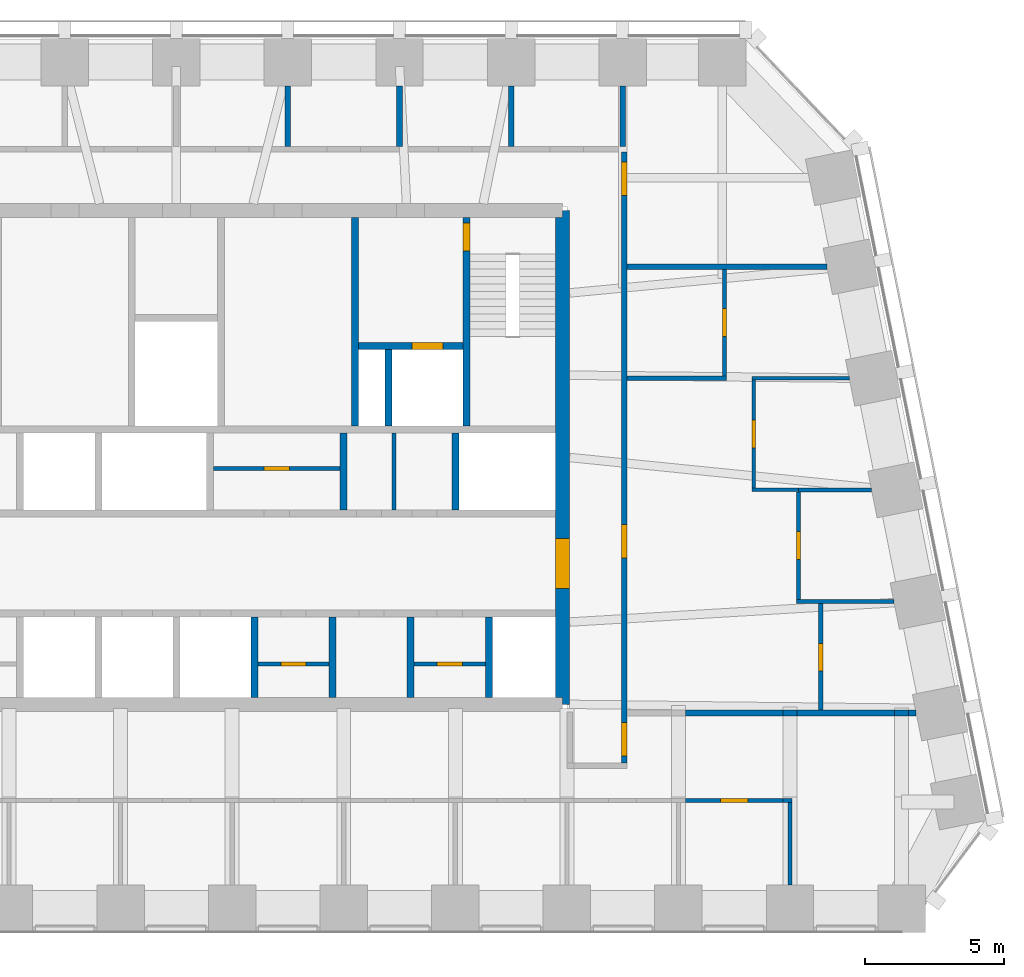
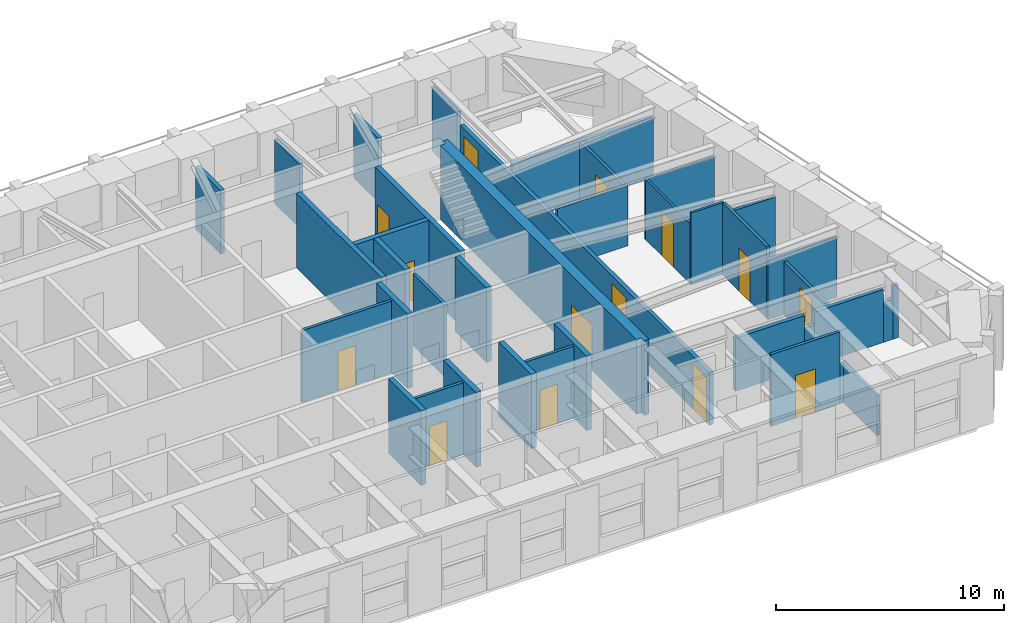
# One storey, part 8 of 12: 38 walls, 14 doors, 14 openings.
"""IFC4 building model written with IfcOpenShell, lengths in metres."""

from ifc_helpers import new_model, si_unit, direction, frame, frame_2d, origin, place, context, subcontext, project, spatial, polyline, rectangle, outline, extrude, material, layer, layer_set, type_object, element, fill, save


model = new_model("IFC4")

# Units and contexts
model_context = context("Model", 3, precision=1e-05, world=origin(), true_north=direction((0.0, 1.0)))
body_context = subcontext(model_context, "Body", "Model", "MODEL_VIEW")
ifc_project = project(units=[si_unit("LENGTHUNIT", "METRE"), si_unit("AREAUNIT", "SQUARE_METRE"), si_unit("VOLUMEUNIT", "CUBIC_METRE"), si_unit("PLANEANGLEUNIT", "RADIAN"), si_unit("MASSUNIT", "GRAM", prefix="KILO")], contexts=[model_context])

# Site, building, storey
site_placement = place(None, origin())
site = spatial("IfcSite", under=ifc_project, at=site_placement, CompositionType="ELEMENT")
building_placement = place(site_placement, origin())
building = spatial("IfcBuilding", under=site, at=building_placement, Name="Isbrekke Arena Tower", CompositionType="ELEMENT")
storey_placement = place(building_placement, frame((0.0, 0.0, 304.0)))
storey = spatial("IfcBuildingStorey", under=building, at=storey_placement, Name="L71", CompositionType="ELEMENT", Elevation=304.0)

# Wall, opening, door
ifc_material_1 = material(Name="Concrete B55 (C55/67)", Category="concrete")
ifc_layer_1 = layer(ifc_material_1, 0.5)
ifc_layer_set_1 = layer_set([ifc_layer_1], Name="CW5 CORE WALL 500")
wall_type_1 = type_object("IfcWallType", Name="CW5 CORE WALL 500", PredefinedType="SHEAR", material=ifc_layer_set_1)
wall_1_placement = place(storey_placement, frame((13.85009765625, 6.14990234375, 0.0), z_axis=(0.0, 0.0, 1.0), x_axis=(0.0, 1.0, 0.0)))
wall_1 = element("IfcWall", 1, at=wall_1_placement, inside=storey, type_object=wall_type_1, Name="Core wall E L71", PredefinedType="SHEAR", context=body_context, shape_type="SweptSolid", body=[
    extrude(outline(polyline([(0.0, -0.25), (17.7001953125, -0.25), (17.7001953125, 0.0), (17.4501953125, 0.0), (17.4501953125, 0.25), (0.25, 0.25), (0.25, 0.0), (0.0, 0.0), (0.0, -0.25)])), origin(), (0.0, 0.0, 1.0), 4.0),
])
opening_1_placement = place(wall_1_placement, frame((4.14990234375, 0.0, 0.0)))
opening_1 = element("IfcOpeningElement", 2, at=opening_1_placement, cuts=wall_1, Name="Opening D1", PredefinedType="OPENING", context=body_context, shape_type="SweptSolid", body=[
    extrude(rectangle(XDim=1.800048828125, YDim=2.39990234375, at=frame_2d((0.89990234375, 1.199951171875))), frame((0.0, 0.264892578125, 0.0), z_axis=(0.0, -1.0, 0.0), x_axis=(1.0, 0.0, 0.0)), (0.0, 0.0, 1.0), 0.52978515625),
])
ifc_material_2 = material(Name="Steel-framed glazed fire door", Category="steel")
door_type_1 = type_object("IfcDoorType", Name="D1 CORE LOBBY DOOR 1800 x 2400", OperationType="DOUBLE_DOOR_SINGLE_SWING", PredefinedType="DOOR", material=ifc_material_2)
door_1_placement = place(opening_1_placement, origin())
door_1 = element("IfcDoor", 3, at=door_1_placement, inside=storey, type_object=door_type_1, Name="D1 lift lobby door east L71", OperationType="DOUBLE_DOOR_SINGLE_SWING", OverallHeight=2.39990234375, OverallWidth=1.800048828125, PredefinedType="DOOR", context=body_context, shape_type="SweptSolid", body=[
    extrude(rectangle(XDim=1.800048828125, YDim=2.39990234375, at=frame_2d((0.89990234375, 1.199951171875))), frame((0.0, 0.249755859375, 0.0), z_axis=(0.0, -1.0, 0.0), x_axis=(1.0, 0.0, 0.0)), (0.0, 0.0, 1.0), 0.49951171875),
])
fill(opening_1, door_1)

# Walls
ifc_material_3 = material(Name="Concrete B45 (C45/55)", Category="concrete")
ifc_layer_2 = layer(ifc_material_3, 0.25)
ifc_layer_set_2 = layer_set([ifc_layer_2], Name="CW6 SHAFT WALL 250")
wall_type_2 = type_object("IfcWallType", Name="CW6 SHAFT WALL 250", PredefinedType="SHEAR", material=ifc_layer_set_2)
for number, where, z_axis, x_axis, name in (
    (4, (2.800048828125, 6.39990234375, 0.0), (0.0, 0.0, 1.0), (0.0, 1.0, 0.0), "Core wall SS06 L71"),
    (5, (5.60009765625, 6.39990234375, 0.0), (0.0, 0.0, 1.0), (0.0, 1.0, 0.0), "Core wall SS07 L71"),
    (6, (8.39990234375, 6.39990234375, 0.0), (0.0, 0.0, 1.0), (0.0, 1.0, 0.0), "Core wall SS08 L71"),
    (7, (11.199951171875, 6.39990234375, 0.0), (0.0, 0.0, 1.0), (0.0, 1.0, 0.0), "Core wall SS09 L71"),
):
    element("IfcWall", number, at=place(storey_placement, frame(where, z_axis=z_axis, x_axis=x_axis)), inside=storey, type_object=wall_type_2, Name=name, PredefinedType="SHEAR", context=body_context, shape_type="SweptSolid", body=[
        extrude(rectangle(XDim=2.875, YDim=0.25, at=frame_2d((1.4375, 0.0))), origin(), (0.0, 0.0, 1.0), 4.0),
    ])
for number, where, z_axis, x_axis, name in (
    (8, (6.0, 13.125, 0.0), (0.0, 0.0, 1.0), (0.0, 1.0, 0.0), "Core wall SN06 L71"),
    (9, (10.0, 13.125, 0.0), (0.0, 0.0, 1.0), (0.0, 1.0, 0.0), "Core wall SN07 L71"),
):
    element("IfcWall", number, at=place(storey_placement, frame(where, z_axis=z_axis, x_axis=x_axis)), inside=storey, type_object=wall_type_2, Name=name, PredefinedType="SHEAR", context=body_context, shape_type="SweptSolid", body=[
        extrude(rectangle(XDim=2.75, YDim=0.25, at=frame_2d((1.375, 0.0))), origin(), (0.0, 0.0, 1.0), 4.0),
    ])
wall_2_placement = place(storey_placement, frame((6.39990234375, 16.125, 0.0), z_axis=(0.0, 0.0, 1.0), x_axis=(0.0, 1.0, 0.0)))
element("IfcWall", 10, at=wall_2_placement, inside=storey, type_object=wall_type_2, Name="Core wall NV05 L71", PredefinedType="SHEAR", context=body_context, shape_type="SweptSolid", body=[
    extrude(rectangle(XDim=7.47509765625, YDim=0.25, at=frame_2d((3.737548828125, 0.0))), origin(), (0.0, 0.0, 1.0), 4.0),
])

# Wall, opening, door
wall_3_placement = place(storey_placement, frame((10.39990234375, 16.125, 0.0), z_axis=(0.0, 0.0, 1.0), x_axis=(0.0, 1.0, 0.0)))
wall_3 = element("IfcWall", 11, at=wall_3_placement, inside=storey, type_object=wall_type_2, Name="Core wall NV06 L71", PredefinedType="SHEAR", context=body_context, shape_type="SweptSolid", body=[
    extrude(rectangle(XDim=7.47509765625, YDim=0.25, at=frame_2d((3.737548828125, 0.0))), origin(), (0.0, 0.0, 1.0), 4.0),
])
opening_2_placement = place(wall_3_placement, frame((6.27490234375, 0.0, 0.0)))
opening_2 = element("IfcOpeningElement", 12, at=opening_2_placement, cuts=wall_3, Name="Opening D2", PredefinedType="OPENING", context=body_context, shape_type="SweptSolid", body=[
    extrude(rectangle(XDim=1.0, YDim=2.10009765625, at=frame_2d((0.5, 1.050048828125))), frame((0.0, 0.139892578125, 0.0), z_axis=(0.0, -1.0, 0.0), x_axis=(1.0, 0.0, 0.0)), (0.0, 0.0, 1.0), 0.27978515625),
])
ifc_material_4 = material(Name="Steel fire door", Category="steel")
door_type_2 = type_object("IfcDoorType", Name="D2 STAIR DOOR 1000 x 2100", OperationType="SINGLE_SWING_LEFT", PredefinedType="DOOR", material=ifc_material_4)
door_2_placement = place(opening_2_placement, origin())
door_2 = element("IfcDoor", 13, at=door_2_placement, inside=storey, type_object=door_type_2, Name="D2 stair door ST2 L71", OperationType="SINGLE_SWING_LEFT", OverallHeight=2.10009765625, OverallWidth=1.0, PredefinedType="DOOR", context=body_context, shape_type="SweptSolid", body=[
    extrude(rectangle(XDim=1.0, YDim=2.10009765625, at=frame_2d((0.5, 1.050048828125))), frame((0.0, 0.124755859375, 0.0), z_axis=(0.0, -1.0, 0.0), x_axis=(1.0, 0.0, 0.0)), (0.0, 0.0, 1.0), 0.24951171875),
])
fill(opening_2, door_2)

wall_4_placement = place(storey_placement, frame((6.52490234375, 19.0, 0.0), z_axis=(0.0, 0.0, 1.0), x_axis=(1.0, 0.0, 0.0)))
wall_4 = element("IfcWall", 14, at=wall_4_placement, inside=storey, type_object=wall_type_2, Name="Core wall NFE L71", PredefinedType="SHEAR", context=body_context, shape_type="SweptSolid", body=[
    extrude(rectangle(XDim=3.75, YDim=0.25, at=frame_2d((1.875, 0.0))), origin(), (0.0, 0.0, 1.0), 4.0),
])
opening_3_placement = place(wall_4_placement, frame((1.925048828125, 0.0, 0.0)))
opening_3 = element("IfcOpeningElement", 15, at=opening_3_placement, cuts=wall_4, Name="Opening LD2", PredefinedType="OPENING", context=body_context, shape_type="SweptSolid", body=[
    extrude(rectangle(XDim=1.10009765625, YDim=2.10009765625, at=frame_2d((0.550048828125, 1.050048828125))), frame((0.0, 0.139892578125, 0.0), z_axis=(0.0, -1.0, 0.0), x_axis=(1.0, 0.0, 0.0)), (0.0, 0.0, 1.0), 0.27978515625),
])
ifc_material_5 = material(Name="Stainless steel lift landing door", Category="steel")
door_type_3 = type_object("IfcDoorType", Name="LD2 FIRE-FIGHTING LIFT LANDING DOOR 1100 x 2100", OperationType="SLIDING_TO_RIGHT", PredefinedType="DOOR", material=ifc_material_5)
door_3_placement = place(opening_3_placement, origin())
door_3 = element("IfcDoor", 16, at=door_3_placement, inside=storey, type_object=door_type_3, Name="LD2 lift landing door LF L71", OperationType="SLIDING_TO_RIGHT", OverallHeight=2.10009765625, OverallWidth=1.10009765625, PredefinedType="DOOR", context=body_context, shape_type="SweptSolid", body=[
    extrude(rectangle(XDim=1.10009765625, YDim=2.10009765625, at=frame_2d((0.550048828125, 1.050048828125))), frame((0.0, 0.124755859375, 0.0), z_axis=(0.0, -1.0, 0.0), x_axis=(1.0, 0.0, 0.0)), (0.0, 0.0, 1.0), 0.24951171875),
])
fill(opening_3, door_3)

# Wall
wall_5_placement = place(storey_placement, frame((7.60009765625, 16.125, 0.0), z_axis=(0.0, 0.0, 1.0), x_axis=(0.0, 1.0, 0.0)))
element("IfcWall", 17, at=wall_5_placement, inside=storey, type_object=wall_type_2, Name="Core wall NFS2 L71", PredefinedType="SHEAR", context=body_context, shape_type="SweptSolid", body=[
    extrude(rectangle(XDim=2.75, YDim=0.25, at=frame_2d((1.375, 0.0))), origin(), (0.0, 0.0, 1.0), 4.0),
])

# Wall, opening, door
ifc_material_6 = material(Name="Gypsum board partition on steel studs", Category="steel")
ifc_layer_3 = layer(ifc_material_6, 0.14990234375)
ifc_layer_set_3 = layer_set([ifc_layer_3], Name="IW1 PARTITION 150")
wall_type_3 = type_object("IfcWallType", Name="IW1 PARTITION 150", PredefinedType="PARTITIONING", material=ifc_layer_set_3)
wall_6_placement = place(storey_placement, frame((18.25, 2.699951171875, 0.0), z_axis=(0.0, 0.0, 1.0), x_axis=(1.0, 0.0, 0.0)))
wall_6 = element("IfcWall", 18, at=wall_6_placement, inside=storey, type_object=wall_type_3, Name="IW1 partition 150 L71", PredefinedType="PARTITIONING", context=body_context, shape_type="SweptSolid", body=[
    extrude(rectangle(XDim=3.5, YDim=0.14990234375, at=frame_2d((1.75, 0.0))), origin(), (0.0, 0.0, 1.0), 3.85009765625),
])
opening_4_placement = place(wall_6_placement, frame((1.25, 0.0, 0.0)))
opening_4 = element("IfcOpeningElement", 19, at=opening_4_placement, cuts=wall_6, Name="Opening D10", PredefinedType="OPENING", context=body_context, shape_type="SweptSolid", body=[
    extrude(rectangle(XDim=1.0, YDim=2.300048828125, at=frame_2d((0.5, 1.14990234375))), frame((0.0, 0.08984375, 0.0), z_axis=(0.0, -1.0, 0.0), x_axis=(1.0, 0.0, 0.0)), (0.0, 0.0, 1.0), 0.1796875),
])
ifc_material_7 = material(Name="Timber door", Category="wood")
door_type_4 = type_object("IfcDoorType", Name="D10 OFFICE DOOR 1000 x 2300", OperationType="SINGLE_SWING_LEFT", PredefinedType="DOOR", material=ifc_material_7)
door_4_placement = place(opening_4_placement, origin())
door_4 = element("IfcDoor", 20, at=door_4_placement, inside=storey, type_object=door_type_4, Name="D10 executive office door L71", OperationType="SINGLE_SWING_LEFT", OverallHeight=2.300048828125, OverallWidth=1.0, PredefinedType="DOOR", context=body_context, shape_type="SweptSolid", body=[
    extrude(rectangle(XDim=1.0, YDim=2.300048828125, at=frame_2d((0.5, 1.14990234375))), frame((0.0, 0.07470703125, 0.0), z_axis=(0.0, -1.0, 0.0), x_axis=(1.0, 0.0, 0.0)), (0.0, 0.0, 1.0), 0.1494140625),
])
fill(opening_4, door_4)

# Walls
wall_7_placement = place(storey_placement, frame((21.75, 2.699951171875, 0.0), z_axis=(0.0, 0.0, 1.0), x_axis=(1.0, 0.0, 0.0)))
element("IfcWall", 21, at=wall_7_placement, inside=storey, type_object=wall_type_3, Name="IW1 partition 150 L71", PredefinedType="PARTITIONING", context=body_context, shape_type="SweptSolid", body=[
    extrude(rectangle(XDim=0.324951171875, YDim=0.14990234375, at=frame_2d((0.16259765625, 0.0))), origin(), (0.0, 0.0, 1.0), 2.14990234375),
])
wall_8_placement = place(storey_placement, frame((22.22509765625, 9.840087890625, 0.0), z_axis=(0.0, 0.0, 1.0), x_axis=(1.0, 0.0, 0.0)))
element("IfcWall", 22, at=wall_8_placement, inside=storey, type_object=wall_type_3, Name="IW1 partition 150 L71", PredefinedType="PARTITIONING", context=body_context, shape_type="SweptSolid", body=[
    extrude(rectangle(XDim=3.498779296875, YDim=0.14990234375, at=frame_2d((1.74951171875, 0.0))), origin(), (0.0, 0.0, 1.0), 3.22998046875),
])
wall_9_placement = place(storey_placement, frame((22.300048828125, 13.840087890625, 0.0), z_axis=(0.0, 0.0, 1.0), x_axis=(1.0, 0.0, 0.0)))
element("IfcWall", 23, at=wall_9_placement, inside=storey, type_object=wall_type_3, Name="IW1 partition 150 L71", PredefinedType="PARTITIONING", context=body_context, shape_type="SweptSolid", body=[
    extrude(rectangle(XDim=2.623779296875, YDim=0.14990234375, at=frame_2d((1.31201171875, 0.0))), origin(), (0.0, 0.0, 1.0), 3.22998046875),
])
wall_10_placement = place(storey_placement, frame((16.14990234375, 17.840087890625, 0.0), z_axis=(0.0, 0.0, 1.0), x_axis=(1.0, 0.0, 0.0)))
element("IfcWall", 24, at=wall_10_placement, inside=storey, type_object=wall_type_3, Name="IW1 partition 150 L71", PredefinedType="PARTITIONING", context=body_context, shape_type="SweptSolid", body=[
    extrude(rectangle(XDim=3.5751953125, YDim=0.14990234375, at=frame_2d((1.78759765625, 0.0))), origin(), (0.0, 0.0, 1.0), 3.22998046875),
])

# Wall, opening, door
wall_11_placement = place(storey_placement, frame((19.64990234375, 17.9150390625, 0.0), z_axis=(0.0, 0.0, 1.0), x_axis=(0.0, 1.0, 0.0)))
wall_11 = element("IfcWall", 25, at=wall_11_placement, inside=storey, type_object=wall_type_3, Name="IW1 partition 150 L71", PredefinedType="PARTITIONING", context=body_context, shape_type="SweptSolid", body=[
    extrude(rectangle(XDim=3.824951171875, YDim=0.14990234375, at=frame_2d((1.91259765625, 0.0))), origin(), (0.0, 0.0, 1.0), 3.22998046875),
])
opening_5_placement = place(wall_11_placement, frame((1.425048828125, 0.0, 0.0)))
opening_5 = element("IfcOpeningElement", 26, at=opening_5_placement, cuts=wall_11, Name="Opening D10", PredefinedType="OPENING", context=body_context, shape_type="SweptSolid", body=[
    extrude(rectangle(XDim=1.0, YDim=2.300048828125, at=frame_2d((0.5, 1.14990234375))), frame((0.0, 0.08984375, 0.0), z_axis=(0.0, -1.0, 0.0), x_axis=(1.0, 0.0, 0.0)), (0.0, 0.0, 1.0), 0.1796875),
])
door_5_placement = place(opening_5_placement, origin())
door_5 = element("IfcDoor", 27, at=door_5_placement, inside=storey, type_object=door_type_4, Name="D10 pantry door L71", OperationType="SINGLE_SWING_LEFT", OverallHeight=2.300048828125, OverallWidth=1.0, PredefinedType="DOOR", context=body_context, shape_type="SweptSolid", body=[
    extrude(rectangle(XDim=1.0, YDim=2.300048828125, at=frame_2d((0.5, 1.14990234375))), frame((0.0, 0.07470703125, 0.0), z_axis=(0.0, -1.0, 0.0), x_axis=(1.0, 0.0, 0.0)), (0.0, 0.0, 1.0), 0.1494140625),
])
fill(opening_5, door_5)

# Wall
wall_12_placement = place(storey_placement, frame((22.0, -0.324951171875, 0.0), z_axis=(0.0, 0.0, 1.0), x_axis=(0.0, 1.0, 0.0)))
element("IfcWall", 28, at=wall_12_placement, inside=storey, type_object=wall_type_3, Name="IW1 partition 150 L71", PredefinedType="PARTITIONING", context=body_context, shape_type="SweptSolid", body=[
    extrude(rectangle(XDim=2.949951171875, YDim=0.14990234375, at=frame_2d((1.47509765625, 0.0))), origin(), (0.0, 0.0, 1.0), 2.14990234375),
])

# Wall, opening, door
wall_13_placement = place(storey_placement, frame((22.300048828125, 9.9150390625, 0.0), z_axis=(0.0, 0.0, 1.0), x_axis=(0.0, 1.0, 0.0)))
wall_13 = element("IfcWall", 29, at=wall_13_placement, inside=storey, type_object=wall_type_3, Name="IW1 partition 150 L71", PredefinedType="PARTITIONING", context=body_context, shape_type="SweptSolid", body=[
    extrude(rectangle(XDim=3.849853515625, YDim=0.14990234375, at=frame_2d((1.9248046875, 0.0))), origin(), (0.0, 0.0, 1.0), 3.85009765625),
])
opening_6_placement = place(wall_13_placement, frame((1.425048828125, 0.0, 0.0)))
opening_6 = element("IfcOpeningElement", 30, at=opening_6_placement, cuts=wall_13, Name="Opening D10", PredefinedType="OPENING", context=body_context, shape_type="SweptSolid", body=[
    extrude(rectangle(XDim=1.0, YDim=2.300048828125, at=frame_2d((0.5, 1.14990234375))), frame((0.0, 0.08984375, 0.0), z_axis=(0.0, -1.0, 0.0), x_axis=(1.0, 0.0, 0.0)), (0.0, 0.0, 1.0), 0.1796875),
])
door_6_placement = place(opening_6_placement, origin())
door_6 = element("IfcDoor", 31, at=door_6_placement, inside=storey, type_object=door_type_4, Name="D10 executive office door L71", OperationType="SINGLE_SWING_LEFT", OverallHeight=2.300048828125, OverallWidth=1.0, PredefinedType="DOOR", context=body_context, shape_type="SweptSolid", body=[
    extrude(rectangle(XDim=1.0, YDim=2.300048828125, at=frame_2d((0.5, 1.14990234375))), frame((0.0, 0.07470703125, 0.0), z_axis=(0.0, -1.0, 0.0), x_axis=(1.0, 0.0, 0.0)), (0.0, 0.0, 1.0), 0.1494140625),
])
fill(opening_6, door_6)

wall_14_placement = place(storey_placement, frame((23.10009765625, 5.93994140625, 0.0), z_axis=(0.0, 0.0, 1.0), x_axis=(0.0, 1.0, 0.0)))
wall_14 = element("IfcWall", 32, at=wall_14_placement, inside=storey, type_object=wall_type_3, Name="IW1 partition 150 L71", PredefinedType="PARTITIONING", context=body_context, shape_type="SweptSolid", body=[
    extrude(rectangle(XDim=3.824951171875, YDim=0.14990234375, at=frame_2d((1.91259765625, 0.0))), origin(), (0.0, 0.0, 1.0), 2.842041015625),
])
opening_7_placement = place(wall_14_placement, frame((1.39990234375, 0.0, 0.0)))
opening_7 = element("IfcOpeningElement", 33, at=opening_7_placement, cuts=wall_14, Name="Opening D10", PredefinedType="OPENING", context=body_context, shape_type="SweptSolid", body=[
    extrude(rectangle(XDim=1.0, YDim=2.300048828125, at=frame_2d((0.5, 1.14990234375))), frame((0.0, 0.08984375, 0.0), z_axis=(0.0, -1.0, 0.0), x_axis=(1.0, 0.0, 0.0)), (0.0, 0.0, 1.0), 0.1796875),
])
door_7_placement = place(opening_7_placement, origin())
door_7 = element("IfcDoor", 34, at=door_7_placement, inside=storey, type_object=door_type_4, Name="D10 executive office door L71", OperationType="SINGLE_SWING_LEFT", OverallHeight=2.300048828125, OverallWidth=1.0, PredefinedType="DOOR", context=body_context, shape_type="SweptSolid", body=[
    extrude(rectangle(XDim=1.0, YDim=2.300048828125, at=frame_2d((0.5, 1.14990234375))), frame((0.0, 0.07470703125, 0.0), z_axis=(0.0, -1.0, 0.0), x_axis=(1.0, 0.0, 0.0)), (0.0, 0.0, 1.0), 0.1494140625),
])
fill(opening_7, door_7)

# Walls
ifc_material_8 = material(Name="Frameless glazed partition, laminated acoustic glass", Category="glass")
ifc_layer_4 = layer(ifc_material_8, 0.1201171875)
ifc_layer_set_4 = layer_set([ifc_layer_4], Name="IW2 GLAZED PARTITION 120")
wall_type_4 = type_object("IfcWallType", Name="IW2 GLAZED PARTITION 120", PredefinedType="PARTITIONING", material=ifc_layer_set_4)
wall_15_placement = place(storey_placement, frame((20.639892578125, 13.840087890625, 0.0), z_axis=(0.0, 0.0, 1.0), x_axis=(1.0, 0.0, 0.0)))
element("IfcWall", 35, at=wall_15_placement, inside=storey, type_object=wall_type_4, Name="IW2 glazed partition 120 L71", PredefinedType="PARTITIONING", context=body_context, shape_type="SweptSolid", body=[
    extrude(rectangle(XDim=1.66015625, YDim=0.1201171875, at=frame_2d((0.830078125, 0.0))), origin(), (0.0, 0.0, 1.0), 3.85009765625),
])
wall_16_placement = place(storey_placement, frame((20.639892578125, 17.840087890625, 0.0), z_axis=(0.0, 0.0, 1.0), x_axis=(1.0, 0.0, 0.0)))
element("IfcWall", 36, at=wall_16_placement, inside=storey, type_object=wall_type_4, Name="IW2 glazed partition 120 L71", PredefinedType="PARTITIONING", context=body_context, shape_type="SweptSolid", body=[
    extrude(rectangle(XDim=3.48388671875, YDim=0.1201171875, at=frame_2d((1.741943359375, 0.0))), origin(), (0.0, 0.0, 1.0), 3.22998046875),
])

# Wall, opening, door
wall_17_placement = place(storey_placement, frame((20.699951171875, 13.89990234375, 0.0), z_axis=(0.0, 0.0, 1.0), x_axis=(0.0, 1.0, 0.0)))
wall_17 = element("IfcWall", 37, at=wall_17_placement, inside=storey, type_object=wall_type_4, Name="IW2 glazed partition 120 L71", PredefinedType="PARTITIONING", context=body_context, shape_type="SweptSolid", body=[
    extrude(rectangle(XDim=3.880126953125, YDim=0.1201171875, at=frame_2d((1.93994140625, 0.0))), origin(), (0.0, 0.0, 1.0), 3.22998046875),
])
opening_8_placement = place(wall_17_placement, frame((1.43994140625, 0.0, 0.0)))
opening_8 = element("IfcOpeningElement", 38, at=opening_8_placement, cuts=wall_17, Name="Opening D11", PredefinedType="OPENING", context=body_context, shape_type="SweptSolid", body=[
    extrude(rectangle(XDim=1.0, YDim=2.39990234375, at=frame_2d((0.5, 1.199951171875))), frame((0.0, 0.074951171875, 0.0), z_axis=(0.0, -1.0, 0.0), x_axis=(1.0, 0.0, 0.0)), (0.0, 0.0, 1.0), 0.14990234375),
])
ifc_material_9 = material(Name="Frameless glazed door", Category="glass")
door_type_5 = type_object("IfcDoorType", Name="D11 GLAZED MEETING ROOM DOOR 1000 x 2400", OperationType="SINGLE_SWING_RIGHT", PredefinedType="DOOR", material=ifc_material_9)
door_8_placement = place(opening_8_placement, origin())
door_8 = element("IfcDoor", 39, at=door_8_placement, inside=storey, type_object=door_type_5, Name="D11 meeting room door L71", OperationType="SINGLE_SWING_RIGHT", OverallHeight=2.39990234375, OverallWidth=1.0, PredefinedType="DOOR", context=body_context, shape_type="SweptSolid", body=[
    extrude(rectangle(XDim=1.0, YDim=2.39990234375, at=frame_2d((0.5, 1.199951171875))), frame((0.0, 0.059814453125, 0.0), z_axis=(0.0, -1.0, 0.0), x_axis=(1.0, 0.0, 0.0)), (0.0, 0.0, 1.0), 0.11962890625),
])
fill(opening_8, door_8)

# Walls
ifc_material_10 = material(Name="Gypsum board fire-cell wall on steel studs, two layers each side", Category="steel")
ifc_layer_5 = layer(ifc_material_10, 0.199951171875)
ifc_layer_set_5 = layer_set([ifc_layer_5], Name="IW3 FIRE-CELL WALL 200")
wall_type_5 = type_object("IfcWallType", Name="IW3 FIRE-CELL WALL 200", PredefinedType="PARTITIONING", material=ifc_layer_set_5)
wall_18_placement = place(storey_placement, frame((18.25, 5.840087890625, 0.0), z_axis=(0.0, 0.0, 1.0), x_axis=(1.0, 0.0, 0.0)))
element("IfcWall", 40, at=wall_18_placement, inside=storey, type_object=wall_type_5, Name="IW3 fire-cell wall 200 L71", PredefinedType="PARTITIONING", context=body_context, shape_type="SweptSolid", body=[
    extrude(rectangle(XDim=3.5, YDim=0.199951171875, at=frame_2d((1.75, 0.0))), origin(), (0.0, 0.0, 1.0), 2.842041015625),
])
wall_19_placement = place(storey_placement, frame((21.75, 5.840087890625, 0.0), z_axis=(0.0, 0.0, 1.0), x_axis=(1.0, 0.0, 0.0)))
element("IfcWall", 41, at=wall_19_placement, inside=storey, type_object=wall_type_5, Name="IW3 fire-cell wall 200 L71", PredefinedType="PARTITIONING", context=body_context, shape_type="SweptSolid", body=[
    extrude(rectangle(XDim=0.5, YDim=0.199951171875, at=frame_2d((0.25, 0.0))), origin(), (0.0, 0.0, 1.0), 2.14990234375),
])
wall_20_placement = place(storey_placement, frame((22.25, 5.840087890625, 0.0), z_axis=(0.0, 0.0, 1.0), x_axis=(1.0, 0.0, 0.0)))
element("IfcWall", 42, at=wall_20_placement, inside=storey, type_object=wall_type_5, Name="IW3 fire-cell wall 200 L71", PredefinedType="PARTITIONING", context=body_context, shape_type="SweptSolid", body=[
    extrude(rectangle(XDim=3.5, YDim=0.199951171875, at=frame_2d((1.75, 0.0))), origin(), (0.0, 0.0, 1.0), 2.842041015625),
])
wall_21_placement = place(storey_placement, frame((25.75, 5.840087890625, 0.0), z_axis=(0.0, 0.0, 1.0), x_axis=(1.0, 0.0, 0.0)))
element("IfcWall", 43, at=wall_21_placement, inside=storey, type_object=wall_type_5, Name="IW3 fire-cell wall 200 L71", PredefinedType="PARTITIONING", context=body_context, shape_type="SweptSolid", body=[
    extrude(rectangle(XDim=0.5, YDim=0.199951171875, at=frame_2d((0.25, 0.0))), origin(), (0.0, 0.0, 1.0), 2.14990234375),
])
wall_22_placement = place(storey_placement, frame((26.25, 5.840087890625, 0.0), z_axis=(0.0, 0.0, 1.0), x_axis=(1.0, 0.0, 0.0)))
element("IfcWall", 44, at=wall_22_placement, inside=storey, type_object=wall_type_5, Name="IW3 fire-cell wall 200 L71", PredefinedType="PARTITIONING", context=body_context, shape_type="SweptSolid", body=[
    extrude(rectangle(XDim=0.273681640625, YDim=0.199951171875, at=frame_2d((0.13671875, 0.0))), origin(), (0.0, 0.0, 1.0), 2.842041015625),
])
wall_23_placement = place(storey_placement, frame((16.14990234375, 21.840087890625, 0.0), z_axis=(0.0, 0.0, 1.0), x_axis=(1.0, 0.0, 0.0)))
element("IfcWall", 45, at=wall_23_placement, inside=storey, type_object=wall_type_5, Name="IW3 fire-cell wall 200 L71", PredefinedType="PARTITIONING", context=body_context, shape_type="SweptSolid", body=[
    extrude(rectangle(XDim=7.173828125, YDim=0.199951171875, at=frame_2d((3.5869140625, 0.0))), origin(), (0.0, 0.0, 1.0), 3.22998046875),
])
for number, where, z_axis, x_axis, name in (
    (46, (4.0, 26.14990234375, 0.0), (0.0, 0.0, 1.0), (0.0, 1.0, 0.0), "IW3 fire-cell wall 200 L71"),
    (47, (8.0, 26.14990234375, 0.0), (0.0, 0.0, 1.0), (0.0, 1.0, 0.0), "IW3 fire-cell wall 200 L71"),
    (48, (12.0, 26.14990234375, 0.0), (0.0, 0.0, 1.0), (0.0, 1.0, 0.0), "IW3 fire-cell wall 200 L71"),
    (49, (16.0, 26.14990234375, 0.0), (0.0, 0.0, 1.0), (0.0, 1.0, 0.0), "IW3 fire-cell wall 200 L71"),
):
    element("IfcWall", number, at=place(storey_placement, frame(where, z_axis=z_axis, x_axis=x_axis)), inside=storey, type_object=wall_type_5, Name=name, PredefinedType="PARTITIONING", context=body_context, shape_type="SweptSolid", body=[
        extrude(rectangle(XDim=2.175048828125, YDim=0.199951171875, at=frame_2d((1.08740234375, 0.0))), origin(), (0.0, 0.0, 1.0), 3.41796875),
    ])

# Wall, openings, doors
wall_24_placement = place(storey_placement, frame((16.050048828125, 4.050048828125, 0.0), z_axis=(0.0, 0.0, 1.0), x_axis=(0.0, 1.0, 0.0)))
wall_24 = element("IfcWall", 50, at=wall_24_placement, inside=storey, type_object=wall_type_5, Name="IW3 fire-cell wall 200 L71", PredefinedType="PARTITIONING", context=body_context, shape_type="SweptSolid", body=[
    extrude(rectangle(XDim=21.89990234375, YDim=0.199951171875, at=frame_2d((10.949951171875, 0.0))), origin(), (0.0, 0.0, 1.0), 2.842041015625),
])
opening_9_placement = place(wall_24_placement, frame((0.25, 0.0, 0.0)))
opening_9 = element("IfcOpeningElement", 51, at=opening_9_placement, cuts=wall_24, Name="Opening D12", PredefinedType="OPENING", context=body_context, shape_type="SweptSolid", body=[
    extrude(rectangle(XDim=1.199951171875, YDim=2.39990234375, at=frame_2d((0.60009765625, 1.199951171875))), frame((0.0, 0.11474609375, 0.0), z_axis=(0.0, -1.0, 0.0), x_axis=(1.0, 0.0, 0.0)), (0.0, 0.0, 1.0), 0.229736328125),
])
opening_10_placement = place(wall_24_placement, frame((7.35009765625, 0.0, 0.0)))
opening_10 = element("IfcOpeningElement", 52, at=opening_10_placement, cuts=wall_24, Name="Opening D12", PredefinedType="OPENING", context=body_context, shape_type="SweptSolid", body=[
    extrude(rectangle(XDim=1.199951171875, YDim=2.39990234375, at=frame_2d((0.60009765625, 1.199951171875))), frame((0.0, 0.11474609375, 0.0), z_axis=(0.0, -1.0, 0.0), x_axis=(1.0, 0.0, 0.0)), (0.0, 0.0, 1.0), 0.229736328125),
])
opening_11_placement = place(wall_24_placement, frame((20.35009765625, 0.0, 0.0)))
opening_11 = element("IfcOpeningElement", 53, at=opening_11_placement, cuts=wall_24, Name="Opening D12", PredefinedType="OPENING", context=body_context, shape_type="SweptSolid", body=[
    extrude(rectangle(XDim=1.199951171875, YDim=2.39990234375, at=frame_2d((0.60009765625, 1.199951171875))), frame((0.0, 0.11474609375, 0.0), z_axis=(0.0, -1.0, 0.0), x_axis=(1.0, 0.0, 0.0)), (0.0, 0.0, 1.0), 0.229736328125),
])
ifc_material_11 = material(Name="Timber fire door with vision panel", Category="wood")
door_type_6 = type_object("IfcDoorType", Name="D12 SUITE ENTRANCE DOOR 1200 x 2400", OperationType="SINGLE_SWING_LEFT", PredefinedType="DOOR", material=ifc_material_11)
door_9_placement = place(opening_9_placement, origin())
door_9 = element("IfcDoor", 54, at=door_9_placement, inside=storey, type_object=door_type_6, Name="D12 suite entrance S door L71", OperationType="SINGLE_SWING_LEFT", OverallHeight=2.39990234375, OverallWidth=1.199951171875, PredefinedType="DOOR", context=body_context, shape_type="SweptSolid", body=[
    extrude(rectangle(XDim=1.199951171875, YDim=2.39990234375, at=frame_2d((0.60009765625, 1.199951171875))), frame((0.0, 0.099609375, 0.0), z_axis=(0.0, -1.0, 0.0), x_axis=(1.0, 0.0, 0.0)), (0.0, 0.0, 1.0), 0.199462890625),
])
fill(opening_9, door_9)
door_10_placement = place(opening_10_placement, origin())
door_10 = element("IfcDoor", 55, at=door_10_placement, inside=storey, type_object=door_type_6, Name="D12 suite entrance E door L71", OperationType="SINGLE_SWING_LEFT", OverallHeight=2.39990234375, OverallWidth=1.199951171875, PredefinedType="DOOR", context=body_context, shape_type="SweptSolid", body=[
    extrude(rectangle(XDim=1.199951171875, YDim=2.39990234375, at=frame_2d((0.60009765625, 1.199951171875))), frame((0.0, 0.099609375, 0.0), z_axis=(0.0, -1.0, 0.0), x_axis=(1.0, 0.0, 0.0)), (0.0, 0.0, 1.0), 0.199462890625),
])
fill(opening_10, door_10)
door_11_placement = place(opening_11_placement, origin())
door_11 = element("IfcDoor", 56, at=door_11_placement, inside=storey, type_object=door_type_6, Name="D12 suite entrance NCE door L71", OperationType="SINGLE_SWING_LEFT", OverallHeight=2.39990234375, OverallWidth=1.199951171875, PredefinedType="DOOR", context=body_context, shape_type="SweptSolid", body=[
    extrude(rectangle(XDim=1.199951171875, YDim=2.39990234375, at=frame_2d((0.60009765625, 1.199951171875))), frame((0.0, 0.099609375, 0.0), z_axis=(0.0, -1.0, 0.0), x_axis=(1.0, 0.0, 0.0)), (0.0, 0.0, 1.0), 0.199462890625),
])
fill(opening_11, door_11)

# Wall, opening, door
ifc_material_12 = material(Name="Gypsum board fire-rated partition on steel studs, two layers each side", Category="steel")
ifc_layer_6 = layer(ifc_material_12, 0.14990234375)
ifc_layer_set_6 = layer_set([ifc_layer_6], Name="IW5 FIRE-RATED PARTITION 150")
wall_type_6 = type_object("IfcWallType", Name="IW5 FIRE-RATED PARTITION 150", PredefinedType="PARTITIONING", material=ifc_layer_set_6)
wall_25_placement = place(storey_placement, frame((1.324951171875, 14.60009765625, 0.0), z_axis=(0.0, 0.0, 1.0), x_axis=(1.0, 0.0, 0.0)))
wall_25 = element("IfcWall", 57, at=wall_25_placement, inside=storey, type_object=wall_type_6, Name="IW5 fire-rated partition L71 core service rooms 1", PredefinedType="PARTITIONING", context=body_context, shape_type="SweptSolid", body=[
    extrude(rectangle(XDim=4.550048828125, YDim=0.14990234375, at=frame_2d((2.27490234375, 0.0))), origin(), (0.0, 0.0, 1.0), 3.85009765625),
])
opening_12_placement = place(wall_25_placement, frame((1.824951171875, 0.0, 0.0)))
opening_12 = element("IfcOpeningElement", 58, at=opening_12_placement, cuts=wall_25, Name="Opening D5", PredefinedType="OPENING", context=body_context, shape_type="SweptSolid", body=[
    extrude(rectangle(XDim=0.89990234375, YDim=2.10009765625, at=frame_2d((0.449951171875, 1.050048828125))), frame((0.0, 0.08984375, 0.0), z_axis=(0.0, -1.0, 0.0), x_axis=(1.0, 0.0, 0.0)), (0.0, 0.0, 1.0), 0.1796875),
])
ifc_material_13 = material(Name="Steel fire door", Category="steel")
door_type_7 = type_object("IfcDoorType", Name="D5 SERVICE DOOR 900 x 2100", OperationType="SINGLE_SWING_LEFT", PredefinedType="DOOR", material=ifc_material_13)
door_12_placement = place(opening_12_placement, origin())
door_12 = element("IfcDoor", 59, at=door_12_placement, inside=storey, type_object=door_type_7, Name="D5 tenant store door L71", OperationType="SINGLE_SWING_LEFT", OverallHeight=2.10009765625, OverallWidth=0.89990234375, PredefinedType="DOOR", context=body_context, shape_type="SweptSolid", body=[
    extrude(rectangle(XDim=0.89990234375, YDim=2.10009765625, at=frame_2d((0.449951171875, 1.050048828125))), frame((0.0, 0.07470703125, 0.0), z_axis=(0.0, -1.0, 0.0), x_axis=(1.0, 0.0, 0.0)), (0.0, 0.0, 1.0), 0.1494140625),
])
fill(opening_12, door_12)

# Wall
wall_26_placement = place(storey_placement, frame((7.800048828125, 13.125, 0.0), z_axis=(0.0, 0.0, 1.0), x_axis=(0.0, 1.0, 0.0)))
element("IfcWall", 60, at=wall_26_placement, inside=storey, type_object=wall_type_6, Name="IW5 fire-rated partition L71 core service rooms 2", PredefinedType="PARTITIONING", context=body_context, shape_type="SweptSolid", body=[
    extrude(rectangle(XDim=2.75, YDim=0.14990234375, at=frame_2d((1.375, 0.0))), origin(), (0.0, 0.0, 1.0), 3.85009765625),
])

# Wall, opening, door
wall_27_placement = place(storey_placement, frame((2.925048828125, 7.60009765625, 0.0), z_axis=(0.0, 0.0, 1.0), x_axis=(1.0, 0.0, 0.0)))
wall_27 = element("IfcWall", 61, at=wall_27_placement, inside=storey, type_object=wall_type_6, Name="IW5 fire-rated partition L71 core service rooms 6", PredefinedType="PARTITIONING", context=body_context, shape_type="SweptSolid", body=[
    extrude(rectangle(XDim=2.550048828125, YDim=0.14990234375, at=frame_2d((1.27490234375, 0.0))), origin(), (0.0, 0.0, 1.0), 3.85009765625),
])
opening_13_placement = place(wall_27_placement, frame((0.824951171875, 0.0, 0.0)))
opening_13 = element("IfcOpeningElement", 62, at=opening_13_placement, cuts=wall_27, Name="Opening D5", PredefinedType="OPENING", context=body_context, shape_type="SweptSolid", body=[
    extrude(rectangle(XDim=0.89990234375, YDim=2.10009765625, at=frame_2d((0.449951171875, 1.050048828125))), frame((0.0, 0.08984375, 0.0), z_axis=(0.0, -1.0, 0.0), x_axis=(1.0, 0.0, 0.0)), (0.0, 0.0, 1.0), 0.1796875),
])
door_13_placement = place(opening_13_placement, origin())
door_13 = element("IfcDoor", 63, at=door_13_placement, inside=storey, type_object=door_type_7, Name="D5 tenant store door L71", OperationType="SINGLE_SWING_LEFT", OverallHeight=2.10009765625, OverallWidth=0.89990234375, PredefinedType="DOOR", context=body_context, shape_type="SweptSolid", body=[
    extrude(rectangle(XDim=0.89990234375, YDim=2.10009765625, at=frame_2d((0.449951171875, 1.050048828125))), frame((0.0, 0.07470703125, 0.0), z_axis=(0.0, -1.0, 0.0), x_axis=(1.0, 0.0, 0.0)), (0.0, 0.0, 1.0), 0.1494140625),
])
fill(opening_13, door_13)

wall_28_placement = place(storey_placement, frame((8.52490234375, 7.60009765625, 0.0), z_axis=(0.0, 0.0, 1.0), x_axis=(1.0, 0.0, 0.0)))
wall_28 = element("IfcWall", 64, at=wall_28_placement, inside=storey, type_object=wall_type_6, Name="IW5 fire-rated partition L71 core service rooms 7", PredefinedType="PARTITIONING", context=body_context, shape_type="SweptSolid", body=[
    extrude(rectangle(XDim=2.550048828125, YDim=0.14990234375, at=frame_2d((1.27490234375, 0.0))), origin(), (0.0, 0.0, 1.0), 3.85009765625),
])
opening_14_placement = place(wall_28_placement, frame((0.824951171875, 0.0, 0.0)))
opening_14 = element("IfcOpeningElement", 65, at=opening_14_placement, cuts=wall_28, Name="Opening D5", PredefinedType="OPENING", context=body_context, shape_type="SweptSolid", body=[
    extrude(rectangle(XDim=0.89990234375, YDim=2.10009765625, at=frame_2d((0.449951171875, 1.050048828125))), frame((0.0, 0.08984375, 0.0), z_axis=(0.0, -1.0, 0.0), x_axis=(1.0, 0.0, 0.0)), (0.0, 0.0, 1.0), 0.1796875),
])
door_14_placement = place(opening_14_placement, origin())
door_14 = element("IfcDoor", 66, at=door_14_placement, inside=storey, type_object=door_type_7, Name="D5 store door L71", OperationType="SINGLE_SWING_LEFT", OverallHeight=2.10009765625, OverallWidth=0.89990234375, PredefinedType="DOOR", context=body_context, shape_type="SweptSolid", body=[
    extrude(rectangle(XDim=0.89990234375, YDim=2.10009765625, at=frame_2d((0.449951171875, 1.050048828125))), frame((0.0, 0.07470703125, 0.0), z_axis=(0.0, -1.0, 0.0), x_axis=(1.0, 0.0, 0.0)), (0.0, 0.0, 1.0), 0.1494140625),
])
fill(opening_14, door_14)

save(model, "model.ifc")
